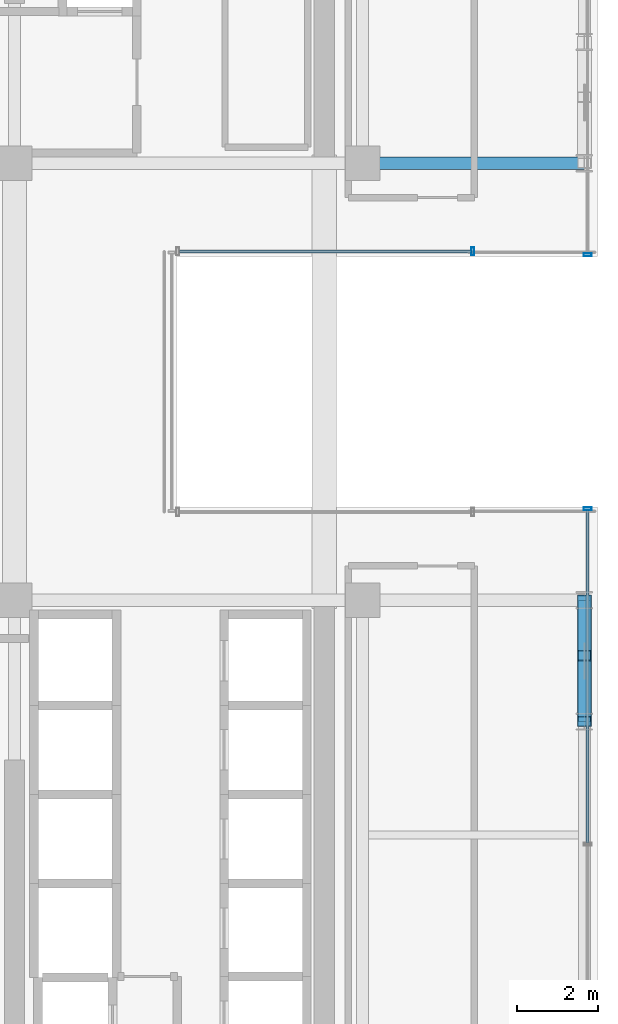
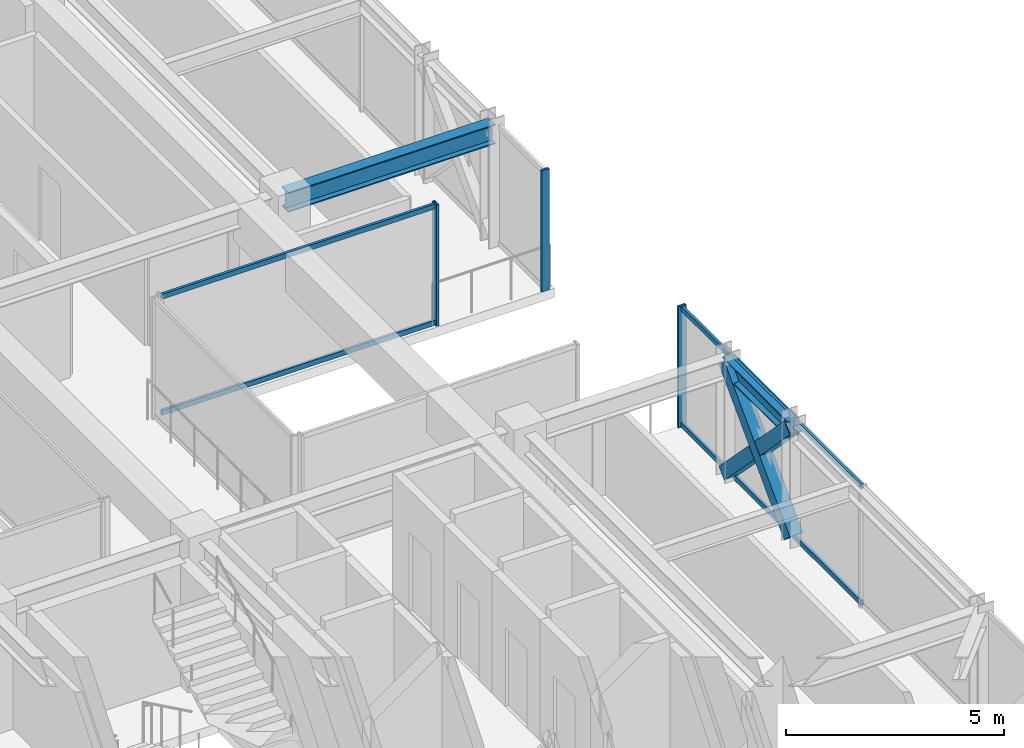
# One storey, part 18 of 36: 10 members, 2 beams, 3 elements without a shape of their own.
"""IFC4 building model written with IfcOpenShell, lengths in metres."""

from ifc_helpers import new_model, si_unit, direction, frame, origin, origin_2d, place, context, subcontext, project, spatial, hollow_rectangle, i_section, extrude, source, transform, mapped, material, material_profile, profile_set, type_object, element, aggregate, save


model = new_model("IFC4")

# Units and contexts
model_context = context("Model", 3, precision=1e-05, world=origin(), true_north=direction((0.0, 1.0)))
body_context = subcontext(model_context, "Body", "Model", "MODEL_VIEW")
ifc_project = project(units=[si_unit("LENGTHUNIT", "METRE"), si_unit("AREAUNIT", "SQUARE_METRE"), si_unit("VOLUMEUNIT", "CUBIC_METRE"), si_unit("PLANEANGLEUNIT", "RADIAN"), si_unit("MASSUNIT", "GRAM", prefix="KILO")], contexts=[model_context])

# Site, building, storey
site_placement = place(None, origin())
site = spatial("IfcSite", under=ifc_project, at=site_placement, CompositionType="ELEMENT")
building_placement = place(site_placement, origin())
building = spatial("IfcBuilding", under=site, at=building_placement, Name="Nahalor Promenade Grand Hotel", CompositionType="ELEMENT")
storey_placement = place(building_placement, frame((0.0, 0.0, 170.89990234375)))
storey = spatial("IfcBuildingStorey", under=building, at=storey_placement, Name="L43", CompositionType="ELEMENT", Elevation=170.89990234375)

# Beams
ifc_material_1 = material(Name="Steel S355JR", Category="steel")
ifc_material_profile_1 = material_profile(ifc_material_1, i_section(OverallWidth=0.3, OverallDepth=0.55, WebThickness=0.015, FlangeThickness=0.029, at=origin_2d()), Name="HEB 550")
ifc_profile_set_1 = profile_set([ifc_material_profile_1], Name="Steel S355JR")
beam_type_1 = type_object("IfcBeamType", Name="Beam-Girder-HEB550", PredefinedType="BEAM", material=ifc_profile_set_1)
shared_shape_1 = source(origin(), body_context, "Body", "SweptSolid", [
    extrude(i_section(OverallWidth=0.3, OverallDepth=0.55, WebThickness=0.015, FlangeThickness=0.029, at=origin_2d()), origin(), (0.0, 0.0, 1.0), 5.47998046875),
])
beam_1_placement = place(storey_placement, frame((17.0, 5.39990234375, 3.114990234375), z_axis=(1.0, 0.0, 0.0), x_axis=(0.0, 1.0, 0.0)))
element("IfcBeam", 1, at=beam_1_placement, inside=storey, type_object=beam_type_1, Name="BM-L43-GX-2-6", PredefinedType="BEAM", context=body_context, shape_type="MappedRepresentation", body=[
    mapped(shared_shape_1, transform((0.0, 0.0, 0.0), scale=1.0)),
])
ifc_material_profile_2 = material_profile(ifc_material_1, i_section(OverallWidth=0.3, OverallDepth=0.45, WebThickness=0.014, FlangeThickness=0.026, at=origin_2d()), Name="HEB 450")
ifc_profile_set_2 = profile_set([ifc_material_profile_2], Name="Steel S355JR")
beam_type_2 = type_object("IfcBeamType", Name="Beam-Spandrel-HEB450", PredefinedType="SPANDREL", material=ifc_profile_set_2)
shared_shape_2 = source(origin(), body_context, "Body", "SweptSolid", [
    extrude(i_section(OverallWidth=0.3, OverallDepth=0.45, WebThickness=0.014, FlangeThickness=0.026, at=origin_2d()), origin(), (0.0, 0.0, 1.0), 3.0),
])
beam_2_placement = place(storey_placement, frame((22.47998046875, -8.39990234375, 3.1650390625), z_axis=(0.0, 1.0, 0.0), x_axis=(-1.0, 0.0, 0.0)))
element("IfcBeam", 2, at=beam_2_placement, inside=storey, type_object=beam_type_2, Name="BM-L43-SP-E-1", PredefinedType="SPANDREL", context=body_context, shape_type="MappedRepresentation", body=[
    mapped(shared_shape_2, transform((0.0, 0.0, 0.0), scale=1.0)),
])

# Members
ifc_material_profile_3 = material_profile(ifc_material_1, hollow_rectangle(XDim=0.35, YDim=0.35, WallThickness=0.02, at=origin_2d()), Name="SHS 350x350x20")
ifc_profile_set_3 = profile_set([ifc_material_profile_3], Name="Steel S355JR")
member_type_1 = type_object("IfcMemberType", Name="Mem-VoidBrace-SHS350", PredefinedType="BRACE", material=ifc_profile_set_3)
shared_shape_3 = source(origin(), body_context, "Body", "SweptSolid", [
    extrude(hollow_rectangle(XDim=0.35, YDim=0.35, WallThickness=0.02, at=origin_2d()), origin(), (0.0, 0.0, 1.0), 4.306640625),
])
member_1_placement = place(storey_placement, frame((22.47998046875, -8.39990234375, 0.150146484375), z_axis=(0.0, 0.696598997639, 0.717460686371), x_axis=(-1.0, 0.0, 0.0)))
element("IfcMember", 3, at=member_1_placement, inside=storey, type_object=member_type_1, Name="EXO-L43-VX1-E0", PredefinedType="BRACE", context=body_context, shape_type="MappedRepresentation", body=[
    mapped(shared_shape_3, transform((0.0, 0.0, 0.0), scale=1.0)),
])
shared_shape_4 = source(origin(), body_context, "Body", "SweptSolid", [
    extrude(hollow_rectangle(XDim=0.35, YDim=0.35, WallThickness=0.02, at=origin_2d()), origin(), (0.0, 0.0, 1.0), 1.96630859375),
])
member_2_placement = place(storey_placement, frame((22.47998046875, -5.39990234375, 0.150146484375), z_axis=(0.0, -0.696663391113, 0.71739815966), x_axis=(1.0, 0.0, 0.0)))
element("IfcMember", 4, at=member_2_placement, inside=storey, type_object=member_type_1, Name="EXO-L43-VX2-E0A", PredefinedType="BRACE", context=body_context, shape_type="MappedRepresentation", body=[
    mapped(shared_shape_4, transform((0.0, 0.0, 0.0), scale=1.0)),
])
shared_shape_5 = source(origin(), body_context, "Body", "SweptSolid", [
    extrude(hollow_rectangle(XDim=0.35, YDim=0.35, WallThickness=0.02, at=origin_2d()), origin(), (0.0, 0.0, 1.0), 1.966064453125),
])
member_3_placement = place(storey_placement, frame((22.47998046875, -7.0302734375, 1.829345703125), z_axis=(0.0, -0.696599482471, 0.717460215636), x_axis=(1.0, 0.0, 0.0)))
element("IfcMember", 5, at=member_3_placement, inside=storey, type_object=member_type_1, Name="EXO-L43-VX2-E0B", PredefinedType="BRACE", context=body_context, shape_type="MappedRepresentation", body=[
    mapped(shared_shape_5, transform((0.0, 0.0, 0.0), scale=1.0)),
])

# Curtain wall, member
ifc_material_2 = material(Name="Anodised Bronze Aluminium EN AW-6063 T6", Category="aluminium")
curtain_wall_type = type_object("IfcCurtainWallType", Name="CW3 Elliptical-Void Collar Unitised Curtain Wall", PredefinedType="USERDEFINED", material=ifc_material_2)
curtain_wall_1_placement = place(storey_placement, origin())
curtain_wall_1 = element("IfcCurtainWall", 6, at=curtain_wall_1_placement, inside=storey, type_object=curtain_wall_type, Name="L43 Curtain Wall CW-L43-E-1", ObjectType="UNITISED_CURTAIN_WALL", PredefinedType="USERDEFINED")
ifc_material_profile_4 = material_profile(ifc_material_2, hollow_rectangle(XDim=0.07, YDim=0.2, WallThickness=0.005, at=origin_2d()), Name="CWM 70x200x5")
ifc_profile_set_4 = profile_set([ifc_material_profile_4], Name="Anodised Bronze Aluminium EN AW-6063 T6")
member_type_2 = type_object("IfcMemberType", Name="CWM3 Void Collar Mullion 70x200", PredefinedType="MULLION", material=ifc_profile_set_4)
shared_shape_6 = source(origin(), body_context, "Body", "SweptSolid", [
    extrude(hollow_rectangle(XDim=0.07, YDim=0.2, WallThickness=0.005, at=origin_2d()), origin(), (0.0, 0.0, 1.0), 3.39013671875),
])
member_4_placement = place(storey_placement, frame((22.56005859375, -3.135009765625, 0.0), z_axis=(0.0, 0.0, 1.0), x_axis=(0.0, 1.0, 0.0)))
member_4 = element("IfcMember", 7, at=member_4_placement, type_object=member_type_2, Name="CW-L43-E-1 Mullion 2", PredefinedType="MULLION", context=body_context, shape_type="MappedRepresentation", body=[
    mapped(shared_shape_6, transform((0.0, 0.0, 0.0), scale=1.0)),
])

curtain_wall_2_placement = place(storey_placement, origin())
curtain_wall_2 = element("IfcCurtainWall", 8, at=curtain_wall_2_placement, inside=storey, type_object=curtain_wall_type, Name="L43 Curtain Wall CW-L43-E-2", ObjectType="UNITISED_CURTAIN_WALL", PredefinedType="USERDEFINED")
member_5_placement = place(storey_placement, frame((22.56005859375, 3.135009765625, 0.0), z_axis=(0.0, 0.0, 1.0), x_axis=(0.0, 1.0, 0.0)))
member_5 = element("IfcMember", 9, at=member_5_placement, type_object=member_type_2, Name="CW-L43-E-2 Mullion 0", PredefinedType="MULLION", context=body_context, shape_type="MappedRepresentation", body=[
    mapped(shared_shape_6, transform((0.0, 0.0, 0.0), scale=1.0)),
])
aggregate(curtain_wall_2, [member_5])

# Curtain wall, members
curtain_wall_3_placement = place(storey_placement, origin())
curtain_wall_3 = element("IfcCurtainWall", 10, at=curtain_wall_3_placement, inside=storey, type_object=curtain_wall_type, Name="L43 Curtain Wall CW-L43-VOID-EN1", ObjectType="UNITISED_CURTAIN_WALL", PredefinedType="USERDEFINED")
member_6_placement = place(storey_placement, frame((19.72509765625, 3.219970703125, 0.0), z_axis=(0.0, 0.0, 1.0), x_axis=(1.0, 0.0, 0.0)))
member_6 = element("IfcMember", 11, at=member_6_placement, type_object=member_type_2, Name="CW-L43-VOID-EN1 Mullion 1", PredefinedType="MULLION", context=body_context, shape_type="MappedRepresentation", body=[
    mapped(shared_shape_6, transform((0.0, 0.0, 0.0), scale=1.0)),
])
ifc_material_profile_5 = material_profile(ifc_material_2, hollow_rectangle(XDim=0.07, YDim=0.14, WallThickness=0.004, at=origin_2d()), Name="CWT 70x140x4")
ifc_profile_set_5 = profile_set([ifc_material_profile_5], Name="Anodised Bronze Aluminium EN AW-6063 T6")
member_type_3 = type_object("IfcMemberType", Name="CWT3 Void Collar Transom 70x140", PredefinedType="USERDEFINED", material=ifc_profile_set_5)
shared_shape_7 = source(origin(), body_context, "Body", "SweptSolid", [
    extrude(hollow_rectangle(XDim=0.07, YDim=0.14, WallThickness=0.004, at=origin_2d()), origin(), (0.0, 0.0, 1.0), 7.219970703125),
])
member_7_placement = place(storey_placement, frame((12.469970703125, 3.219970703125, 0.070068359375), z_axis=(1.0, 0.0, 0.0), x_axis=(0.0, 1.0, 0.0)))
member_7 = element("IfcMember", 12, at=member_7_placement, type_object=member_type_3, Name="CW-L43-VOID-EN1 Transom 0-0", ObjectType="TRANSOM", PredefinedType="USERDEFINED", context=body_context, shape_type="MappedRepresentation", body=[
    mapped(shared_shape_7, transform((0.0, 0.0, 0.0), scale=1.0)),
])
member_8_placement = place(storey_placement, frame((12.469970703125, 3.219970703125, 3.320068359375), z_axis=(1.0, 0.0, 0.0), x_axis=(0.0, 1.0, 0.0)))
member_8 = element("IfcMember", 13, at=member_8_placement, type_object=member_type_3, Name="CW-L43-VOID-EN1 Transom 0-1", ObjectType="TRANSOM", PredefinedType="USERDEFINED", context=body_context, shape_type="MappedRepresentation", body=[
    mapped(shared_shape_7, transform((0.0, 0.0, 0.0), scale=1.0)),
])
aggregate(curtain_wall_3, [member_6, member_7, member_8])

# Member
shared_shape_8 = source(origin(), body_context, "Body", "SweptSolid", [
    extrude(hollow_rectangle(XDim=0.07, YDim=0.14, WallThickness=0.004, at=origin_2d()), origin(), (0.0, 0.0, 1.0), 8.22509765625),
])
member_9_placement = place(storey_placement, frame((22.56005859375, -11.39501953125, 0.070068359375), z_axis=(0.0, 1.0, 0.0), x_axis=(-1.0, 0.0, 0.0)))
member_9 = element("IfcMember", 14, at=member_9_placement, type_object=member_type_3, Name="CW-L43-E-1 Transom 1-0", ObjectType="TRANSOM", PredefinedType="USERDEFINED", context=body_context, shape_type="MappedRepresentation", body=[
    mapped(shared_shape_8, transform((0.0, 0.0, 0.0), scale=1.0)),
])

member_10_placement = place(storey_placement, frame((22.56005859375, -11.39501953125, 3.320068359375), z_axis=(0.0, 1.0, 0.0), x_axis=(-1.0, 0.0, 0.0)))
member_10 = element("IfcMember", 15, at=member_10_placement, type_object=member_type_3, Name="CW-L43-E-1 Transom 1-1", ObjectType="TRANSOM", PredefinedType="USERDEFINED", context=body_context, shape_type="MappedRepresentation", body=[
    mapped(shared_shape_8, transform((0.0, 0.0, 0.0), scale=1.0)),
])

aggregate(curtain_wall_1, [member_4, member_9, member_10])

save(model, "model.ifc")
